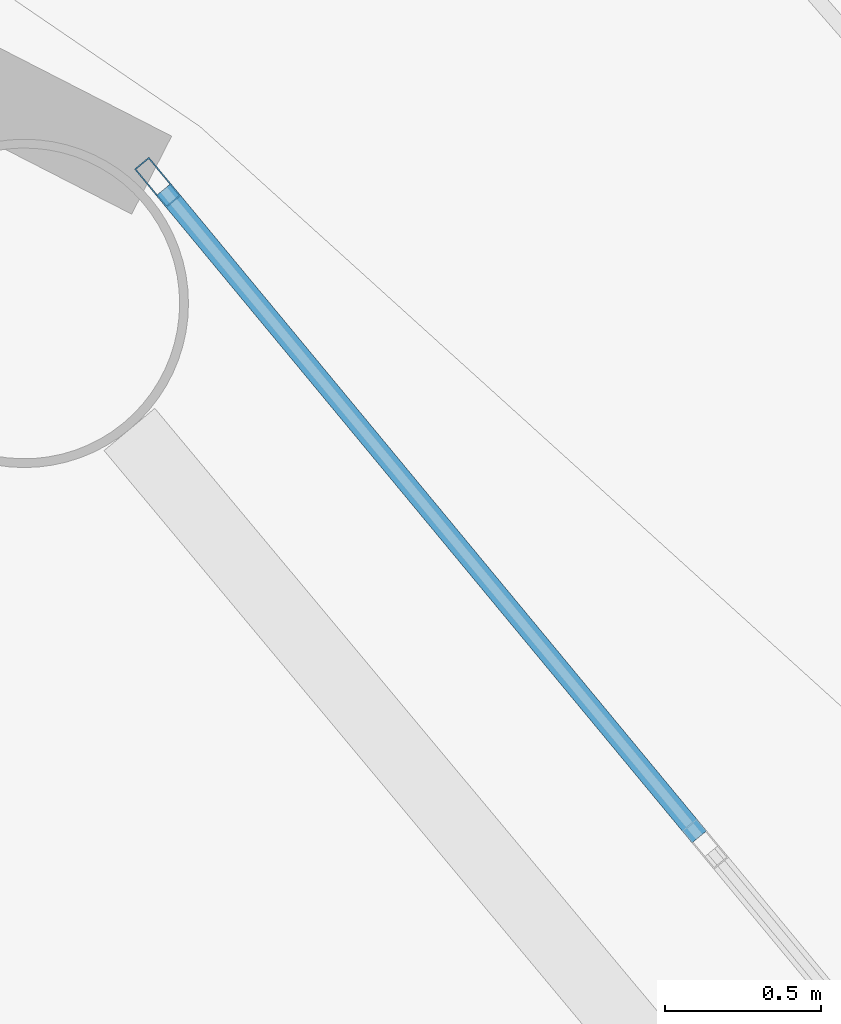
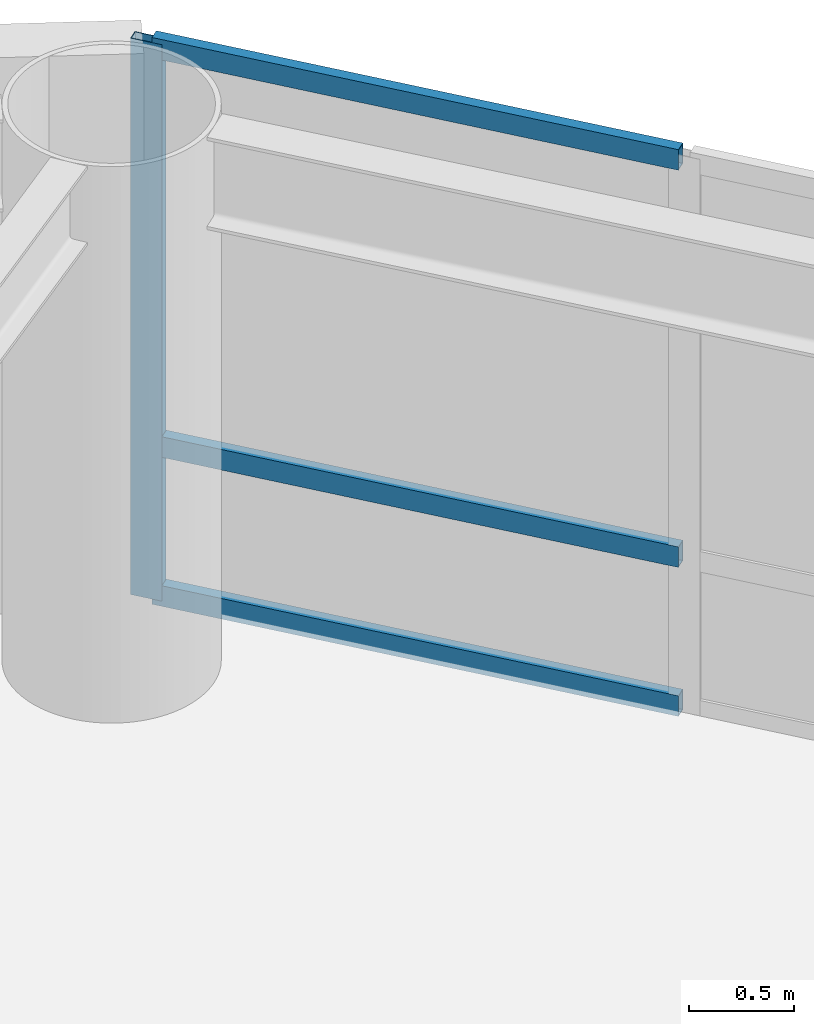
# One storey, part 14 of 24: 4 members, 1 element without a shape of its own.
"""IFC4 building model written with IfcOpenShell, lengths in metres."""

from ifc_helpers import new_model, si_unit, direction, frame, origin, origin_2d, place, context, subcontext, project, spatial, hollow_rectangle, extrude, material, layer, layer_set, material_profile, profile_set, type_object, element, aggregate, save


model = new_model("IFC4")

# Units and contexts
model_context = context("Model", 3, precision=1e-05, world=origin(), true_north=direction((0.0, 1.0)))
body_context = subcontext(model_context, "Body", "Model", "MODEL_VIEW")
ifc_project = project(units=[si_unit("LENGTHUNIT", "METRE"), si_unit("AREAUNIT", "SQUARE_METRE"), si_unit("VOLUMEUNIT", "CUBIC_METRE"), si_unit("PLANEANGLEUNIT", "RADIAN"), si_unit("MASSUNIT", "GRAM", prefix="KILO")], contexts=[model_context])

# Site, building, storey
site_placement = place(None, origin())
site = spatial("IfcSite", under=ifc_project, at=site_placement, CompositionType="ELEMENT")
building_placement = place(site_placement, origin())
building = spatial("IfcBuilding", under=site, at=building_placement, Name="Sarneth Arch Tower", CompositionType="ELEMENT")
storey_placement = place(building_placement, frame((0.0, 0.0, 253.199951171875)))
storey = spatial("IfcBuildingStorey", under=building, at=storey_placement, Name="L65", CompositionType="ELEMENT", Elevation=253.199951171875)

# Curtain wall, members
ifc_material_1 = material(Name="Anodised aluminium Type AA25 and solar-control low-e laminated IGU", Category="aluminium")
ifc_layer = layer(ifc_material_1, 0.179931640625)
ifc_layer_set = layer_set([ifc_layer], Name="Anodised aluminium Type AA25 and solar-control low-e laminated IGU")
curtain_wall_type = type_object("IfcCurtainWallType", Name="CW-RES-HIGH", PredefinedType="NOTDEFINED", material=ifc_layer_set)
curtain_wall_placement = place(storey_placement, origin())
curtain_wall = element("IfcCurtainWall", 1, at=curtain_wall_placement, inside=storey, type_object=curtain_wall_type, Name="L65 Unitised curtain wall facet 02", PredefinedType="NOTDEFINED")
ifc_material_2 = material(Name="Anodised Aluminium 6063-T6", Category="aluminium")
ifc_material_profile_1 = material_profile(ifc_material_2, hollow_rectangle(XDim=0.06005859375, YDim=0.159912109375, WallThickness=0.00390625, at=origin_2d()), Name="AL-MULL-160x60x4")
ifc_profile_set_1 = profile_set([ifc_material_profile_1], Name="Anodised Aluminium 6063-T6")
member_type_1 = type_object("IfcMemberType", Name="CW-MULLION", PredefinedType="MULLION", material=ifc_profile_set_1)
member_1_placement = place(storey_placement, frame((66.401611328125, 55.96337890625, 0.0), z_axis=(0.0, 0.0, 1.0), x_axis=(-0.770359245933, -0.637610094184, 0.0)))
member_1 = element("IfcMember", 2, at=member_1_placement, type_object=member_type_1, Name="CW-SYS-6 mullion 4", PredefinedType="MULLION", context=body_context, shape_type="SweptSolid", body=[
    extrude(hollow_rectangle(XDim=0.06005859375, YDim=0.159912109375, WallThickness=0.00390625, at=origin_2d()), origin(), (0.0, 0.0, 1.0), 3.25),
])
ifc_material_3 = material(Name="Anodised Aluminium 6063-T6", Category="aluminium")
ifc_material_profile_2 = material_profile(ifc_material_3, hollow_rectangle(XDim=0.06005859375, YDim=0.1201171875, WallThickness=0.00390625, at=origin_2d()), Name="AL-TRAN-120x60x4")
ifc_profile_set_2 = profile_set([ifc_material_profile_2], Name="Anodised Aluminium 6063-T6")
member_type_2 = type_object("IfcMemberType", Name="CW-TRANSOM", PredefinedType="USERDEFINED", material=ifc_profile_set_2)
member_2_placement = place(storey_placement, frame((68.1337890625, 53.87060546875, 0.030029296875), z_axis=(-0.637606765719, 0.770362000821, 0.0), x_axis=(-0.770362000821, -0.637606765719, 0.0)))
member_2 = element("IfcMember", 3, at=member_2_placement, type_object=member_type_2, Name="CW-SYS-6 transom 3.1", ObjectType="TRANSOM", PredefinedType="USERDEFINED", context=body_context, shape_type="SweptSolid", body=[
    extrude(hollow_rectangle(XDim=0.06005859375, YDim=0.1201171875, WallThickness=0.00390625, at=origin_2d()), origin(), (0.0, 0.0, 1.0), 2.686767578125),
])
member_3_placement = place(storey_placement, frame((68.1337890625, 53.87060546875, 0.900146484375), z_axis=(-0.637606765719, 0.770362000821, 0.0), x_axis=(-0.770362000821, -0.637606765719, 0.0)))
member_3 = element("IfcMember", 4, at=member_3_placement, type_object=member_type_2, Name="CW-SYS-6 transom 3.2", ObjectType="TRANSOM", PredefinedType="USERDEFINED", context=body_context, shape_type="SweptSolid", body=[
    extrude(hollow_rectangle(XDim=0.06005859375, YDim=0.1201171875, WallThickness=0.00390625, at=origin_2d()), origin(), (0.0, 0.0, 1.0), 2.686767578125),
])
member_4_placement = place(storey_placement, frame((68.1337890625, 53.87060546875, 3.219970703125), z_axis=(-0.637606765719, 0.770362000821, 0.0), x_axis=(-0.770362000821, -0.637606765719, 0.0)))
member_4 = element("IfcMember", 5, at=member_4_placement, type_object=member_type_2, Name="CW-SYS-6 transom 3.3", ObjectType="TRANSOM", PredefinedType="USERDEFINED", context=body_context, shape_type="SweptSolid", body=[
    extrude(hollow_rectangle(XDim=0.06005859375, YDim=0.1201171875, WallThickness=0.00390625, at=origin_2d()), origin(), (0.0, 0.0, 1.0), 2.686767578125),
])
aggregate(curtain_wall, [member_1, member_2, member_3, member_4])

save(model, "model.ifc")
